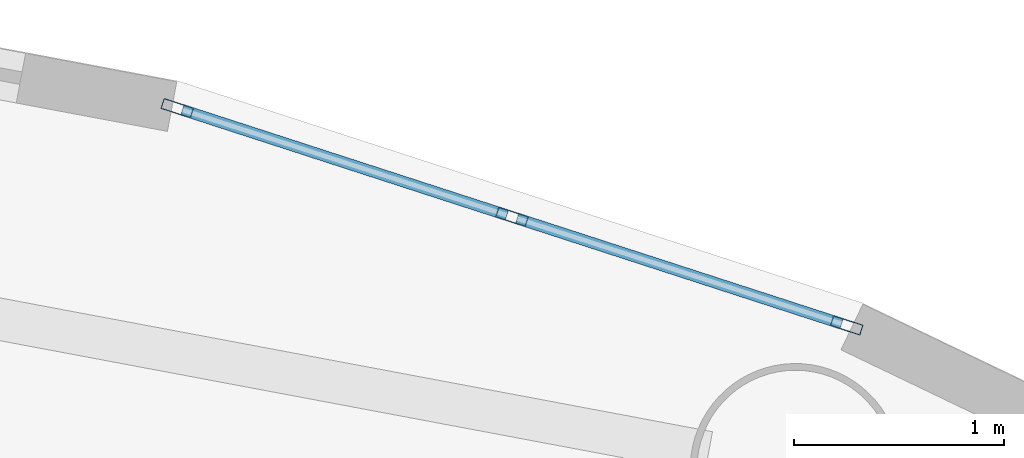
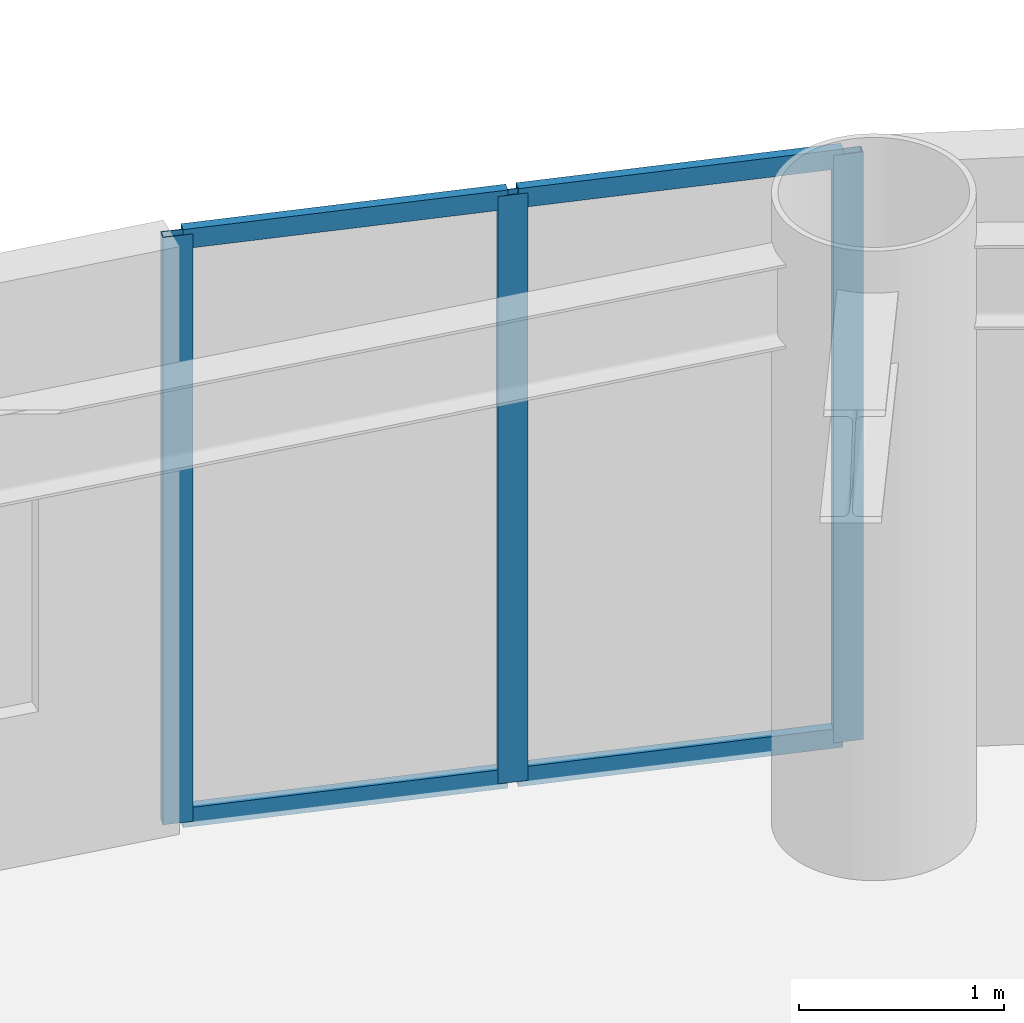
# One storey, part 4 of 18: 7 members, 1 element without a shape of its own.
"""IFC4 building model written with IfcOpenShell, lengths in metres."""

from ifc_helpers import new_model, si_unit, direction, frame, origin, origin_2d, place, context, subcontext, project, spatial, hollow_rectangle, extrude, source, transform, mapped, material, layer, layer_set, material_profile, profile_set, type_object, element, aggregate, save


model = new_model("IFC4")

# Units and contexts
model_context = context("Model", 3, precision=1e-05, world=origin(), true_north=direction((0.0, 1.0)))
body_context = subcontext(model_context, "Body", "Model", "MODEL_VIEW")
ifc_project = project(units=[si_unit("LENGTHUNIT", "METRE"), si_unit("AREAUNIT", "SQUARE_METRE"), si_unit("VOLUMEUNIT", "CUBIC_METRE"), si_unit("PLANEANGLEUNIT", "RADIAN"), si_unit("MASSUNIT", "GRAM", prefix="KILO")], contexts=[model_context])

# Site, building, storey
site_placement = place(None, origin())
site = spatial("IfcSite", under=ifc_project, at=site_placement, CompositionType="ELEMENT")
building_placement = place(site_placement, origin())
building = spatial("IfcBuilding", under=site, at=building_placement, Name="Linh Dai School and Residence Tower", CompositionType="ELEMENT")
storey_placement = place(building_placement, frame((0.0, 0.0, 273.0)))
storey = spatial("IfcBuildingStorey", under=building, at=storey_placement, Name="L67", CompositionType="ELEMENT", Elevation=273.0)

# Curtain wall, members
ifc_material_1 = material(Name="Aluminium Anodised Curtain Wall", Category="aluminium")
ifc_layer = layer(ifc_material_1, 0.14990234375)
ifc_layer_set = layer_set([ifc_layer], Name="Aluminium Anodised Curtain Wall")
curtain_wall_type = type_object("IfcCurtainWallType", Name="CW-SYS-4", PredefinedType="USERDEFINED", material=ifc_layer_set)
curtain_wall_placement = place(storey_placement, origin())
curtain_wall = element("IfcCurtainWall", 1, at=curtain_wall_placement, inside=storey, type_object=curtain_wall_type, Name="L67 CW4 Curtain Wall 08", ObjectType="RIBBON CURTAIN WALL", PredefinedType="USERDEFINED")
ifc_material_2 = material(Name="Aluminium Alloy 6063-T6", Category="aluminium")
ifc_material_profile_1 = material_profile(ifc_material_2, hollow_rectangle(XDim=0.052001953125, YDim=0.14990234375, WallThickness=0.00390625, at=origin_2d()), Name="RHS 150x52x4")
ifc_profile_set_1 = profile_set([ifc_material_profile_1], Name="Aluminium Alloy 6063-T6")
member_type_1 = type_object("IfcMemberType", Name="CW-SYS-4-MUL", PredefinedType="MULLION", material=ifc_profile_set_1)
shared_shape_1 = source(origin(), body_context, "Body", "SweptSolid", [
    extrude(hollow_rectangle(XDim=0.052001953125, YDim=0.14990234375, WallThickness=0.00390625, at=origin_2d()), origin(), (0.0, 0.0, 1.0), 3.5),
])
member_1_placement = place(storey_placement, frame((42.915771484375, 43.552490234375, 0.0), z_axis=(0.0, 0.0, 1.0), x_axis=(0.308518805176, 0.951218243545, 0.0)))
member_1 = element("IfcMember", 2, at=member_1_placement, type_object=member_type_1, Name="CW4 mullion 1", PredefinedType="MULLION", context=body_context, shape_type="MappedRepresentation", body=[
    mapped(shared_shape_1, transform((0.0, 0.0, 0.0), x_axis=(1.0, 0.0, 0.0), y_axis=(0.0, 1.0, 0.0), z_axis=(0.0, 0.0, 1.0), scale=1.0)),
])
member_2_placement = place(storey_placement, frame((44.507080078125, 43.036376953125, 0.0), z_axis=(0.0, 0.0, 1.0), x_axis=(0.308518805176, 0.951218243545, 0.0)))
member_2 = element("IfcMember", 3, at=member_2_placement, type_object=member_type_1, Name="CW4 mullion 2", PredefinedType="MULLION", context=body_context, shape_type="MappedRepresentation", body=[
    mapped(shared_shape_1, transform((0.0, 0.0, 0.0), x_axis=(1.0, 0.0, 0.0), y_axis=(0.0, 1.0, 0.0), z_axis=(0.0, 0.0, 1.0), scale=1.0)),
])
member_3_placement = place(storey_placement, frame((46.098388671875, 42.520263671875, 0.0), z_axis=(0.0, 0.0, 1.0), x_axis=(0.308518805176, 0.951218243545, 0.0)))
member_3 = element("IfcMember", 4, at=member_3_placement, type_object=member_type_1, Name="CW4 mullion 3", PredefinedType="MULLION", context=body_context, shape_type="MappedRepresentation", body=[
    mapped(shared_shape_1, transform((0.0, 0.0, 0.0), x_axis=(1.0, 0.0, 0.0), y_axis=(0.0, 1.0, 0.0), z_axis=(0.0, 0.0, 1.0), scale=1.0)),
])
ifc_material_profile_2 = material_profile(ifc_material_2, hollow_rectangle(XDim=0.052001953125, YDim=0.114990234375, WallThickness=0.00390625, at=origin_2d()), Name="RHS 115x52x4")
ifc_profile_set_2 = profile_set([ifc_material_profile_2], Name="Aluminium Alloy 6063-T6")
member_type_2 = type_object("IfcMemberType", Name="CW-SYS-4-TRN", PredefinedType="USERDEFINED", material=ifc_profile_set_2)
shared_shape_2 = source(origin(), body_context, "Body", "SweptSolid", [
    extrude(hollow_rectangle(XDim=0.052001953125, YDim=0.114990234375, WallThickness=0.00390625, at=origin_2d()), origin(), (0.0, 0.0, 1.0), 1.620849609375),
])
member_4_placement = place(storey_placement, frame((42.940673828125, 43.54443359375, 0.02587890625), z_axis=(0.95118338841, -0.308626249066, 0.0), x_axis=(0.308626249066, 0.95118338841, 0.0)))
member_4 = element("IfcMember", 5, at=member_4_placement, type_object=member_type_2, Name="CW4 transom 1.1", ObjectType="TRANSOM", PredefinedType="USERDEFINED", context=body_context, shape_type="MappedRepresentation", body=[
    mapped(shared_shape_2, transform((0.0, 0.0, 0.0), x_axis=(1.0, 0.0, 0.0), y_axis=(0.0, 1.0, 0.0), z_axis=(0.0, 0.0, 1.0), scale=1.0)),
])
member_5_placement = place(storey_placement, frame((42.940673828125, 43.54443359375, 3.47412109375), z_axis=(0.95118338841, -0.308626249066, 0.0), x_axis=(0.308626249066, 0.95118338841, 0.0)))
member_5 = element("IfcMember", 6, at=member_5_placement, type_object=member_type_2, Name="CW4 transom 1.2", ObjectType="TRANSOM", PredefinedType="USERDEFINED", context=body_context, shape_type="MappedRepresentation", body=[
    mapped(shared_shape_2, transform((0.0, 0.0, 0.0), x_axis=(1.0, 0.0, 0.0), y_axis=(0.0, 1.0, 0.0), z_axis=(0.0, 0.0, 1.0), scale=1.0)),
])
member_6_placement = place(storey_placement, frame((44.53173828125, 43.0283203125, 0.02587890625), z_axis=(0.95118338841, -0.308626249066, 0.0), x_axis=(0.308626249066, 0.95118338841, 0.0)))
member_6 = element("IfcMember", 7, at=member_6_placement, type_object=member_type_2, Name="CW4 transom 2.1", ObjectType="TRANSOM", PredefinedType="USERDEFINED", context=body_context, shape_type="MappedRepresentation", body=[
    mapped(shared_shape_2, transform((0.0, 0.0, 0.0), x_axis=(1.0, 0.0, 0.0), y_axis=(0.0, 1.0, 0.0), z_axis=(0.0, 0.0, 1.0), scale=1.0)),
])
member_7_placement = place(storey_placement, frame((44.53173828125, 43.0283203125, 3.47412109375), z_axis=(0.95118338841, -0.308626249066, 0.0), x_axis=(0.308626249066, 0.95118338841, 0.0)))
member_7 = element("IfcMember", 8, at=member_7_placement, type_object=member_type_2, Name="CW4 transom 2.2", ObjectType="TRANSOM", PredefinedType="USERDEFINED", context=body_context, shape_type="MappedRepresentation", body=[
    mapped(shared_shape_2, transform((0.0, 0.0, 0.0), x_axis=(1.0, 0.0, 0.0), y_axis=(0.0, 1.0, 0.0), z_axis=(0.0, 0.0, 1.0), scale=1.0)),
])
aggregate(curtain_wall, [member_1, member_2, member_3, member_4, member_5, member_6, member_7])

save(model, "model.ifc")
